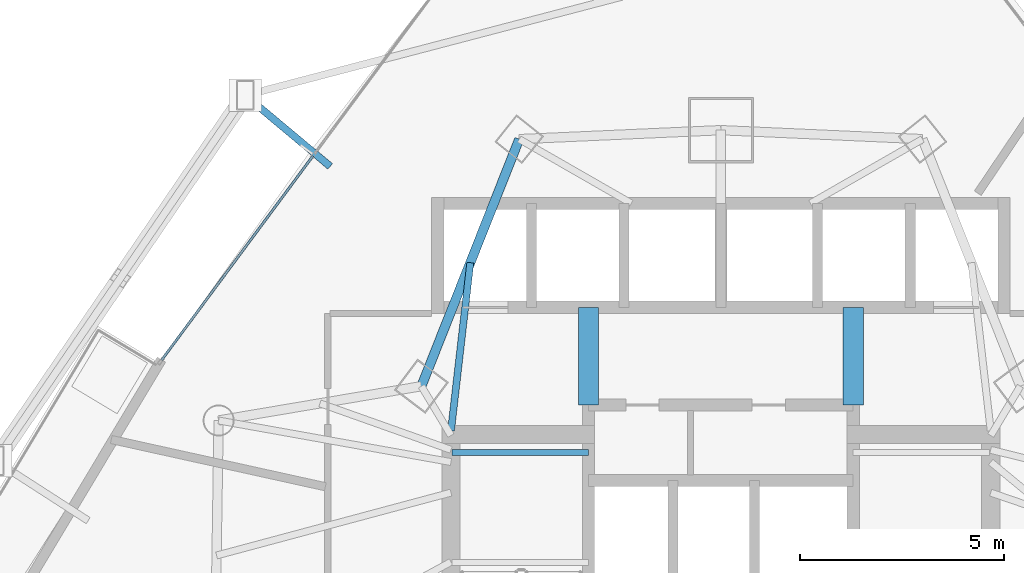
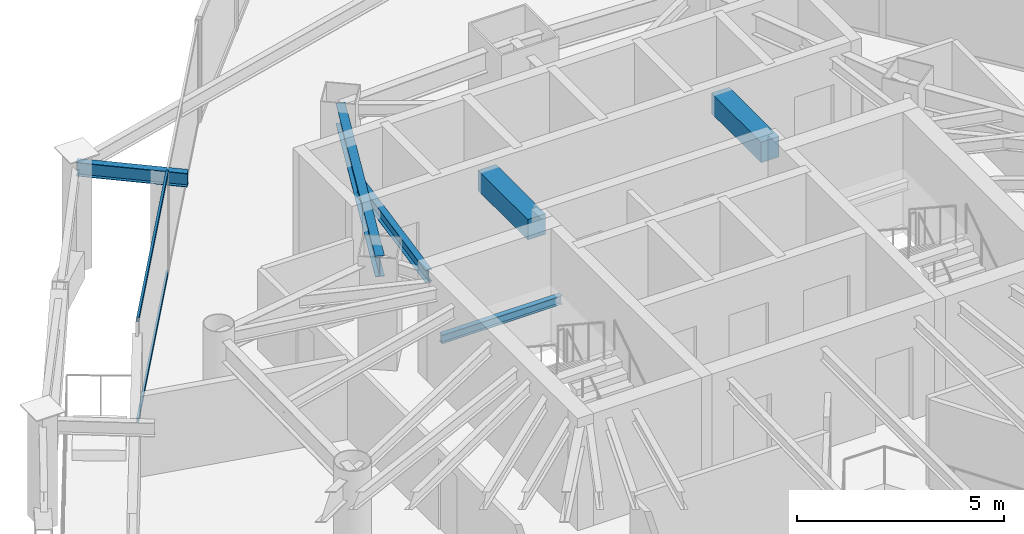
# One storey, part 24 of 38: 6 beams, 2 members, 1 element without a shape of its own.
"""IFC4 building model written with IfcOpenShell, lengths in metres."""

from ifc_helpers import new_model, si_unit, direction, frame, origin, origin_2d, place, context, subcontext, project, spatial, rectangle, hollow_rectangle, i_section, extrude, material, layer, layer_set, material_profile, profile_set, type_object, element, aggregate, save


model = new_model("IFC4")

# Units and contexts
model_context = context("Model", 3, precision=1e-05, world=origin(), true_north=direction((0.0, 1.0)))
body_context = subcontext(model_context, "Body", "Model", "MODEL_VIEW")
ifc_project = project(units=[si_unit("LENGTHUNIT", "METRE"), si_unit("AREAUNIT", "SQUARE_METRE"), si_unit("VOLUMEUNIT", "CUBIC_METRE"), si_unit("PLANEANGLEUNIT", "RADIAN"), si_unit("MASSUNIT", "GRAM", prefix="KILO")], contexts=[model_context])

# Site, building, storey
site_placement = place(None, origin())
site = spatial("IfcSite", under=ifc_project, at=site_placement, CompositionType="ELEMENT")
building_placement = place(site_placement, origin())
building = spatial("IfcBuilding", under=site, at=building_placement, Name="Orvanel Arch Residences", CompositionType="ELEMENT")
storey_placement = place(building_placement, frame((0.0, 0.0, 56.60009765625)))
storey = spatial("IfcBuildingStorey", under=building, at=storey_placement, Name="L15", CompositionType="ELEMENT", Elevation=56.60009765625)

# Beams
ifc_material_1 = material(Name="Structural steel AS/NZS 3679.1 Grade 300 (300 MPa)", Category="steel")
ifc_material_profile_1 = material_profile(ifc_material_1, i_section(OverallWidth=0.14599609375, OverallDepth=0.251953125, WebThickness=0.006103515625, FlangeThickness=0.008544921875, at=origin_2d()), Name="250UB31.4")
ifc_profile_set_1 = profile_set([ifc_material_profile_1], Name="Structural steel AS/NZS 3679.1 Grade 300 (300 MPa)")
beam_type_1 = type_object("IfcBeamType", Name="BJ-250UB", PredefinedType="JOIST", material=ifc_profile_set_1)
beam_1_placement = place(storey_placement, frame((26.39990234375, 33.47998046875, 1.323974609375), z_axis=(1.0, 0.0, 0.0), x_axis=(0.0, 1.0, 0.0)))
element("IfcBeam", 1, at=beam_1_placement, inside=storey, type_object=beam_type_1, Name="L15 ST-1 Half-Landing Support Beam 1.2", PredefinedType="JOIST", context=body_context, shape_type="SweptSolid", body=[
    extrude(i_section(OverallWidth=0.14599609375, OverallDepth=0.251953125, WebThickness=0.006103515625, FlangeThickness=0.008544921875, at=origin_2d()), origin(), (0.0, 0.0, 1.0), 3.35009765625),
])
ifc_material_profile_2 = material_profile(ifc_material_1, i_section(OverallWidth=0.1708984375, OverallDepth=0.35595703125, WebThickness=0.00732421875, FlangeThickness=0.011474609375, at=origin_2d()), Name="360UB50.7")
ifc_profile_set_2 = profile_set([ifc_material_profile_2], Name="Structural steel AS/NZS 3679.1 Grade 300 (300 MPa)")
beam_type_2 = type_object("IfcBeamType", Name="BJ-360UB", PredefinedType="JOIST", material=ifc_profile_set_2)
beam_2_placement = place(storey_placement, frame((26.375, 34.02001953125, 2.841796875), z_axis=(0.114186670431, 0.993459311847, 0.0), x_axis=(-0.993459311847, 0.114186670431, 0.0)))
element("IfcBeam", 2, at=beam_2_placement, inside=storey, type_object=beam_type_2, Name="L15 NNW2 Wing Floor Joist", PredefinedType="JOIST", context=body_context, shape_type="SweptSolid", body=[
    extrude(i_section(OverallWidth=0.1708984375, OverallDepth=0.35595703125, WebThickness=0.00732421875, FlangeThickness=0.011474609375, at=origin_2d()), origin(), (0.0, 0.0, 1.0), 4.152099609375),
])
ifc_material_2 = material(Name="Concrete S65 (65 MPa)", Category="concrete")
ifc_material_profile_3 = material_profile(ifc_material_2, rectangle(XDim=0.5, YDim=0.60009765625, at=origin_2d()), Name="RC500x600")
ifc_profile_set_3 = profile_set([ifc_material_profile_3], Name="Concrete S65 (65 MPa)")
beam_type_3 = type_object("IfcBeamType", Name="CB-500x600", PredefinedType="LINTEL", material=ifc_profile_set_3)
for number, where, z_axis, x_axis, name in (
    (3, (29.75, 34.64990234375, 2.719970703125), (0.0, 1.0, 0.0), (-1.0, 0.0, 0.0), "L15 West Core Lobby Coupling Lintel Beam"),
    (4, (36.25, 34.64990234375, 2.719970703125), (0.0, 1.0, 0.0), (-1.0, 0.0, 0.0), "L15 East Core Lobby Coupling Lintel Beam"),
):
    element("IfcBeam", number, at=place(storey_placement, frame(where, z_axis=z_axis, x_axis=x_axis)), inside=storey, type_object=beam_type_3, Name=name, PredefinedType="LINTEL", context=body_context, shape_type="SweptSolid", body=[
        extrude(rectangle(XDim=0.5, YDim=0.60009765625, at=origin_2d()), origin(), (0.0, 0.0, 1.0), 2.400146484375),
    ])
ifc_material_profile_4 = material_profile(ifc_material_1, i_section(OverallWidth=0.177978515625, OverallDepth=0.406005859375, WebThickness=0.0078125, FlangeThickness=0.0126953125, at=origin_2d()), Name="410UB59.7")
ifc_profile_set_4 = profile_set([ifc_material_profile_4], Name="Structural steel AS/NZS 3679.1 Grade 300 (300 MPa)")
beam_type_4 = type_object("IfcBeamType", Name="OB-410UB-EXT", PredefinedType="SPANDREL", material=ifc_profile_set_4)
beam_3_placement = place(storey_placement, frame((23.408935546875, 40.508056640625, 2.81689453125), z_axis=(-0.767056777929, 0.641579223038, 0.0), x_axis=(-0.641579223038, -0.767056777929, 0.0)))
element("IfcBeam", 5, at=beam_3_placement, inside=storey, type_object=beam_type_4, Name="L15 Outer Frame Radial Tie Beam 01", PredefinedType="SPANDREL", context=body_context, shape_type="SweptSolid", body=[
    extrude(i_section(OverallWidth=0.177978515625, OverallDepth=0.406005859375, WebThickness=0.0078125, FlangeThickness=0.0126953125, at=origin_2d()), origin(), (0.0, 0.0, 1.0), 2.718017578125),
])
ifc_material_profile_5 = material_profile(ifc_material_1, i_section(OverallWidth=0.22900390625, OverallDepth=0.612060546875, WebThickness=0.011962890625, FlangeThickness=0.01953125, at=origin_2d()), Name="610UB125")
ifc_profile_set_5 = profile_set([ifc_material_profile_5], Name="Structural steel AS/NZS 3679.1 Grade 300 (300 MPa)")
beam_type_5 = type_object("IfcBeamType", Name="SP-610UB", PredefinedType="SPANDREL", material=ifc_profile_set_5)
beam_4_placement = place(storey_placement, frame((28.050048828125, 41.177978515625, 2.7138671875), z_axis=(-0.368233143579, -0.929733484376, 0.0), x_axis=(0.929733484376, -0.368233143579, 0.0)))
element("IfcBeam", 6, at=beam_4_placement, inside=storey, type_object=beam_type_5, Name="L15 Perimeter Spandrel Beam 18", PredefinedType="SPANDREL", context=body_context, shape_type="SweptSolid", body=[
    extrude(i_section(OverallWidth=0.22900390625, OverallDepth=0.612060546875, WebThickness=0.011962890625, FlangeThickness=0.01953125, at=origin_2d()), origin(), (0.0, 0.0, 1.0), 6.523193359375),
])

# Curtain wall, members
ifc_material_3 = material(Name="Bronze-anodised aluminium AA6063-T6", Category="aluminium")
ifc_layer = layer(ifc_material_3, 0.179931640625)
ifc_layer_set = layer_set([ifc_layer], Name="Bronze-anodised aluminium AA6063-T6")
curtain_wall_type = type_object("IfcCurtainWallType", Name="CW2-LOW-SYS", PredefinedType="NOTDEFINED", material=ifc_layer_set)
curtain_wall_placement = place(storey_placement, origin())
curtain_wall = element("IfcCurtainWall", 7, at=curtain_wall_placement, inside=storey, type_object=curtain_wall_type, Name="L15 CW2-LOW-SYS Unitised Curtain Wall", PredefinedType="NOTDEFINED")
ifc_material_profile_6 = material_profile(ifc_material_3, hollow_rectangle(XDim=0.06005859375, YDim=0.135009765625, WallThickness=0.00390625, at=origin_2d()), Name="ALU135x60x4")
ifc_profile_set_6 = profile_set([ifc_material_profile_6], Name="Bronze-anodised aluminium AA6063-T6")
member_type = type_object("IfcMemberType", Name="TRN-135x60", PredefinedType="USERDEFINED", material=ifc_profile_set_6)
member_1_placement = place(storey_placement, frame((22.984130859375, 40.763427734375, 0.02978515625), z_axis=(-0.595644949227, -0.803247841243, 0.0), x_axis=(0.803247841243, -0.595644949227, 0.0)))
member_1 = element("IfcMember", 8, at=member_1_placement, type_object=member_type, Name="CW-S2 transom 2.1", ObjectType="TRANSOM", PredefinedType="USERDEFINED", context=body_context, shape_type="SweptSolid", body=[
    extrude(hollow_rectangle(XDim=0.06005859375, YDim=0.135009765625, WallThickness=0.00390625, at=origin_2d()), origin(), (0.0, 0.0, 1.0), 6.237548828125),
])
member_2_placement = place(storey_placement, frame((22.984130859375, 40.763427734375, 2.989990234375), z_axis=(-0.595644949227, -0.803247841243, 0.0), x_axis=(0.803247841243, -0.595644949227, 0.0)))
member_2 = element("IfcMember", 9, at=member_2_placement, type_object=member_type, Name="CW-S2 transom 2.2", ObjectType="TRANSOM", PredefinedType="USERDEFINED", context=body_context, shape_type="SweptSolid", body=[
    extrude(hollow_rectangle(XDim=0.06005859375, YDim=0.135009765625, WallThickness=0.00390625, at=origin_2d()), origin(), (0.0, 0.0, 1.0), 6.237548828125),
])
aggregate(curtain_wall, [member_1, member_2])

save(model, "model.ifc")
